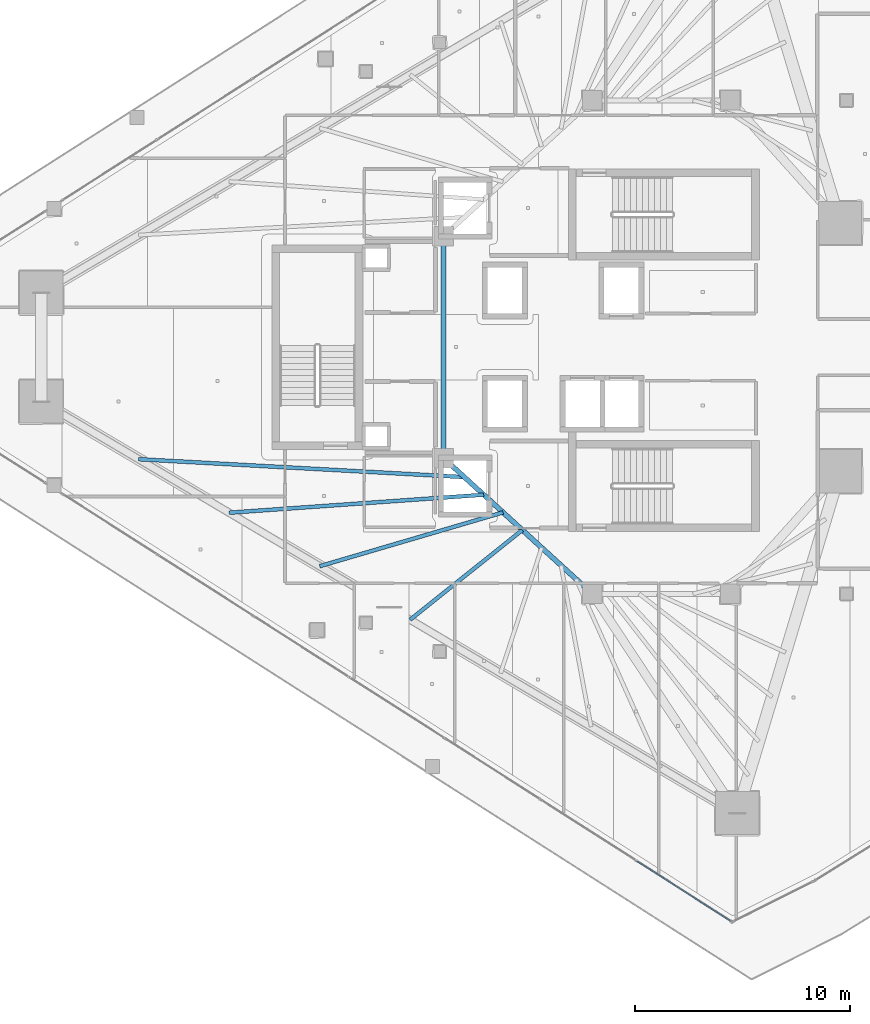
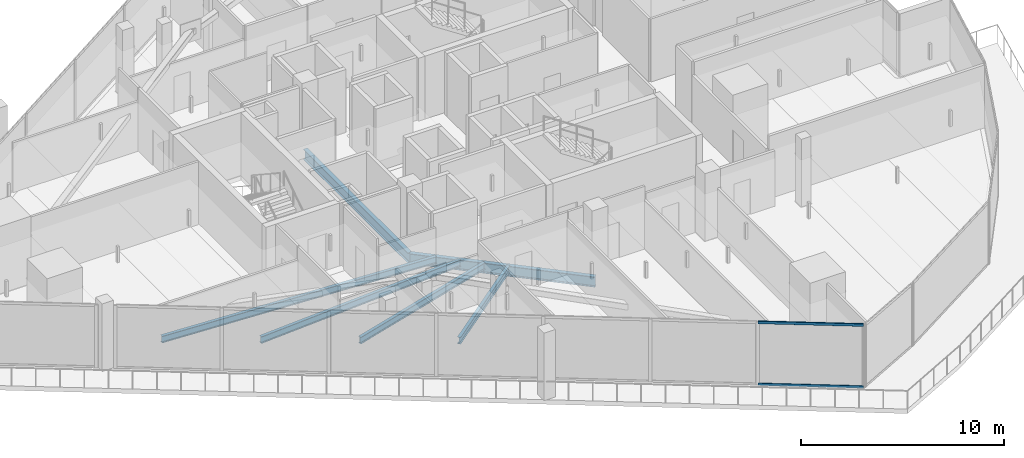
# One storey, part 9 of 43: 6 beams, 2 members, 1 element without a shape of its own.
"""IFC4 building model written with IfcOpenShell, lengths in metres."""

import ifcopenshell
import ifcopenshell.guid

model = None  # the IFC model being written
_history = None  # IfcOwnerHistory: only IFC2X3 demands one
_inside = {}  # id of a spatial element -> (the spatial element, [elements in it])
_under = {}  # id of a project, library or spatial element -> (it, [spatial elements below it])
_declared = {}  # id of a project -> (the project, [libraries it declares])
_typed = {}  # id of a type object -> (the type object, [elements of that type])
_made_of = {}  # id of a material, layer set ... -> (it, [elements and type objects made of it])


def new_model(schema):
    """Start an empty IFC model of exactly this schema.

    Asked for "IFC4X3", IfcOpenShell would pick the latest addendum, in which some entities
    have other attributes; the version numbers below select the first issue.
    IFC2X3 requires an IfcOwnerHistory on every rooted entity: one is made here for all.
    """
    global model, _history
    if schema == "IFC4X3":
        model = ifcopenshell.file(schema_version=(4, 3, 0, 0))
    else:
        model = ifcopenshell.file(schema=schema)
    _inside.clear()
    _under.clear()
    _declared.clear()
    _typed.clear()
    _made_of.clear()
    _history = None
    if model.schema == "IFC2X3":
        org = make("IfcOrganization", Name="unknown")
        user = make(
            "IfcPersonAndOrganization",
            ThePerson=make("IfcPerson", FamilyName="unknown"),
            TheOrganization=org,
        )
        app = make(
            "IfcApplication",
            ApplicationDeveloper=org,
            Version="unknown",
            ApplicationFullName="unknown",
            ApplicationIdentifier="unknown",
        )
        _history = make(
            "IfcOwnerHistory",
            OwningUser=user,
            OwningApplication=app,
            ChangeAction="ADDED",
            CreationDate=0,
        )
    return model


def make(cls, **values):
    """One entity of the class cls with the attributes given. An attribute that is None is left unset."""
    return model.create_entity(
        cls, **{name: value for name, value in values.items() if value is not None}
    )


def rooted(cls, **values):
    """An entity with a GlobalId (a new one), such as an element, a storey or a relation."""
    return make(cls, GlobalId=ifcopenshell.guid.new(), OwnerHistory=_history, **values)


def si_unit(unit_type, name, prefix=None):
    """IfcSIUnit, for example si_unit("LENGTHUNIT", "METRE", prefix="MILLI")."""
    return make("IfcSIUnit", UnitType=unit_type, Prefix=prefix, Name=name)


def assignment(units):
    """IfcUnitAssignment: the units of a project."""
    return None if units is None else make("IfcUnitAssignment", Units=units)


def point(xyz):
    """IfcCartesianPoint."""
    return None if xyz is None else make("IfcCartesianPoint", Coordinates=xyz)


def direction(xyz):
    """IfcDirection."""
    return None if xyz is None else make("IfcDirection", DirectionRatios=xyz)


def frame(location, z_axis=None, x_axis=None):
    """IfcAxis2Placement3D, a coordinate frame: its origin and axes. An axis left out is left unset."""
    return make(
        "IfcAxis2Placement3D",
        Location=point(location),
        Axis=direction(z_axis),
        RefDirection=direction(x_axis),
    )


def frame_2d(location, x_axis=None):
    """IfcAxis2Placement2D, a coordinate frame in the plane: its origin and x axis."""
    return make(
        "IfcAxis2Placement2D", Location=point(location), RefDirection=direction(x_axis)
    )


def origin():
    """The frame at (0, 0, 0) with its axes left unset."""
    return frame((0.0, 0.0, 0.0))


def origin_2d():
    """The frame at (0, 0) in the plane with its x axis left unset."""
    return frame_2d((0.0, 0.0))


def place(relative_to, where):
    """IfcLocalPlacement: puts the frame where relative to a parent placement (None: the world)."""
    return make(
        "IfcLocalPlacement", PlacementRelTo=relative_to, RelativePlacement=where
    )


def context(
    kind, dimensions, precision=None, world=None, true_north=None, identifier=None
):
    """IfcGeometricRepresentationContext, for example the 3D "Model" context."""
    return make(
        "IfcGeometricRepresentationContext",
        ContextIdentifier=identifier,
        ContextType=kind,
        CoordinateSpaceDimension=dimensions,
        Precision=precision,
        WorldCoordinateSystem=world,
        TrueNorth=true_north,
    )


def subcontext(parent, identifier, kind, view, scale=None):
    """IfcGeometricRepresentationSubContext, for example "Body" below "Model"."""
    return make(
        "IfcGeometricRepresentationSubContext",
        ContextIdentifier=identifier,
        ContextType=kind,
        ParentContext=parent,
        TargetScale=scale,
        TargetView=view,
    )


def project(units=None, contexts=None):
    """IfcProject with its units and contexts."""
    return rooted(
        "IfcProject",
        Name="project",
        RepresentationContexts=contexts,
        UnitsInContext=assignment(units),
    )


def spatial(cls, under=None, at=None, **own):
    """A site, building, storey or space (cls), placed at a placement, below another one or the project."""
    s = rooted(cls, ObjectPlacement=at, **own)
    if under is not None:
        _under.setdefault(under.id(), (under, []))[1].append(s)
    return s


def profile(cls, at=None, kind="AREA", **sizes):
    """A parametric profile (cls). Its sizes go by their IFC names, for example OverallWidth=200.0."""
    return make(cls, ProfileType=kind, Position=at, **sizes)


def hollow_rectangle(**sizes):
    """IfcRectangleHollowProfileDef."""
    return profile("IfcRectangleHollowProfileDef", **sizes)


def i_section(**sizes):
    """IfcIShapeProfileDef."""
    return profile("IfcIShapeProfileDef", **sizes)


def extrude(swept, where, along, depth):
    """IfcExtrudedAreaSolid: the profile swept, set in the frame where, extruded along a direction by depth."""
    return make(
        "IfcExtrudedAreaSolid",
        SweptArea=swept,
        Position=where,
        ExtrudedDirection=direction(along),
        Depth=depth,
    )


def shape(context_of_items, identifier, shape_type, items):
    """IfcShapeRepresentation: the items that make up one representation, for example the "Body"."""
    return make(
        "IfcShapeRepresentation",
        ContextOfItems=context_of_items,
        RepresentationIdentifier=identifier,
        RepresentationType=shape_type,
        Items=items,
    )


def material(Name=None, Category=None):
    """IfcMaterial."""
    return make("IfcMaterial", Name=Name, Category=Category)


def layer(
    of_material, thickness, ventilated=None, Name=None, Category=None, Priority=None
):
    """IfcMaterialLayer: one layer of a wall or slab, of a material (None: an air gap)."""
    return make(
        "IfcMaterialLayer",
        Material=of_material,
        LayerThickness=thickness,
        IsVentilated=ventilated,
        Name=Name,
        Category=Category,
        Priority=Priority,
    )


def layer_set(layers, Name=None):
    """IfcMaterialLayerSet."""
    return make("IfcMaterialLayerSet", MaterialLayers=layers, LayerSetName=Name)


def material_profile(
    of_material, cross_section, Name=None, Category=None, Priority=None
):
    """IfcMaterialProfile: a cross section and its material."""
    return make(
        "IfcMaterialProfile",
        Name=Name,
        Material=of_material,
        Profile=cross_section,
        Priority=Priority,
        Category=Category,
    )


def profile_set(profiles, Name=None, composite=None):
    """IfcMaterialProfileSet."""
    return make(
        "IfcMaterialProfileSet",
        Name=Name,
        MaterialProfiles=profiles,
        CompositeProfile=composite,
    )


def made_of(thing, what):
    """Note that an element or type object is made of a material, layer set ...; save() writes the relation."""
    if what is not None:
        _made_of.setdefault(what.id(), (what, []))[1].append(thing)
    return thing


def type_object(cls, material=None, **own):
    """A type object (cls), such as IfcWallType, which elements share."""
    return made_of(rooted(cls, **own), material)


def element(
    cls,
    number,
    at=None,
    inside=None,
    cuts=None,
    type_object=None,
    material=None,
    context=None,
    identifier="Body",
    shape_type=None,
    held_by="IfcProductDefinitionShape",
    body=None,
    shapes=None,
    **own,
):
    """One element of the class cls, such as IfcWall. Its Tag is "e" and its number.

    at: its placement. inside: the storey or other place that contains it. cuts: it is an
    opening in that element (IfcRelVoidsElement). A single representation is given by context,
    identifier, shape_type and body (its items); several are given by shapes. held_by: the class
    of the entity that holds the representations. save() writes the other relations.
    """
    e = rooted(cls, Tag="e%d" % number, ObjectPlacement=at, **own)
    if body is not None:
        shapes = [shape(context, identifier, shape_type, body)]
    if shapes is not None:
        e.Representation = make(held_by, Representations=shapes)
    if inside is not None:
        _inside.setdefault(inside.id(), (inside, []))[1].append(e)
    if cuts is not None:
        rooted(
            "IfcRelVoidsElement", RelatingBuildingElement=cuts, RelatedOpeningElement=e
        )
    if type_object is not None:
        _typed.setdefault(type_object.id(), (type_object, []))[1].append(e)
    return made_of(e, material)


def aggregate(whole, parts):
    """IfcRelAggregates: a whole, such as a stair, and the parts it consists of."""
    return rooted("IfcRelAggregates", RelatingObject=whole, RelatedObjects=parts)


def save(model, path):
    """Write the relations noted so far, then the file.

    IfcRelAggregates (storeys below a building ...), IfcRelContainedInSpatialStructure (elements
    in a storey), IfcRelDefinesByType, IfcRelAssociatesMaterial and IfcRelDeclares: one each for
    every whole, place, type object, material and project.
    """
    for whole, parts in _under.values():
        aggregate(whole, parts)
    for where, things in _inside.values():
        rooted(
            "IfcRelContainedInSpatialStructure",
            RelatedElements=things,
            RelatingStructure=where,
        )
    for kind, things in _typed.values():
        rooted("IfcRelDefinesByType", RelatedObjects=things, RelatingType=kind)
    for what, things in _made_of.values():
        rooted("IfcRelAssociatesMaterial", RelatedObjects=things, RelatingMaterial=what)
    for by, libraries in _declared.values():
        rooted("IfcRelDeclares", RelatingContext=by, RelatedDefinitions=libraries)
    model.write(path)


model = new_model("IFC4")

# Units and contexts
model_context = context("Model", 3, precision=1e-05, world=origin(), true_north=direction((0.0, 1.0)))
body_context = subcontext(model_context, "Body", "Model", "MODEL_VIEW")
ifc_project = project(units=[si_unit("LENGTHUNIT", "METRE"), si_unit("AREAUNIT", "SQUARE_METRE"), si_unit("VOLUMEUNIT", "CUBIC_METRE"), si_unit("PLANEANGLEUNIT", "RADIAN"), si_unit("MASSUNIT", "GRAM", prefix="KILO")], contexts=[model_context])

# Site, building, storey
site_placement = place(None, origin())
site = spatial("IfcSite", under=ifc_project, at=site_placement, CompositionType="ELEMENT")
building_placement = place(site_placement, origin())
building = spatial("IfcBuilding", under=site, at=building_placement, Name="Qorvath Tower", CompositionType="ELEMENT")
storey_placement = place(building_placement, frame((0.0, 0.0, 213.14990234375)))
storey = spatial("IfcBuildingStorey", under=building, at=storey_placement, Name="L49", CompositionType="ELEMENT", Elevation=213.14990234375)

# Beams
ifc_material_1 = material(Name="Steel ASTM A992 Grade 50", Category="steel")
ifc_material_profile_1 = material_profile(ifc_material_1, i_section(OverallWidth=0.22998046875, OverallDepth=0.616943359375, WebThickness=0.01318359375, FlangeThickness=0.022216796875, FilletRadius=0.014892578125, at=origin_2d()), Name="W24x94")
ifc_profile_set_1 = profile_set([ifc_material_profile_1], Name="Steel ASTM A992 Grade 50")
beam_type_1 = type_object("IfcBeamType", Name="BM-FG6", PredefinedType="BEAM", material=ifc_profile_set_1)
beam_1_placement = place(storey_placement, frame((-23.60009765625, -11.449951171875, -0.57861328125), z_axis=(-0.73847813985, 0.6742774184, 0.0), x_axis=(-0.6742774184, -0.73847813985, 0.0)))
element("IfcBeam", 1, at=beam_1_placement, inside=storey, type_object=beam_type_1, Name="Core Ring Girder CC4-CC6 L49", PredefinedType="BEAM", context=body_context, shape_type="SweptSolid", body=[
    extrude(i_section(OverallWidth=0.22998046875, OverallDepth=0.616943359375, WebThickness=0.01318359375, FlangeThickness=0.022216796875, FilletRadius=0.014892578125, at=origin_2d()), origin(), (0.0, 0.0, 1.0), 9.343505859375),
])
beam_2_placement = place(storey_placement, frame((-30.5, -5.14990234375, -0.57861328125), z_axis=(0.0, 1.0, 0.0), x_axis=(-1.0, 0.0, 0.0)))
element("IfcBeam", 2, at=beam_2_placement, inside=storey, type_object=beam_type_1, Name="Core Ring Girder CC6-CC5 L49", PredefinedType="BEAM", context=body_context, shape_type="SweptSolid", body=[
    extrude(i_section(OverallWidth=0.22998046875, OverallDepth=0.616943359375, WebThickness=0.01318359375, FlangeThickness=0.022216796875, FilletRadius=0.014892578125, at=origin_2d()), origin(), (0.0, 0.0, 1.0), 10.2998046875),
])
ifc_material_2 = material(Name="Steel ASTM A992 Grade 50", Category="steel")
ifc_material_profile_2 = material_profile(ifc_material_2, i_section(OverallWidth=0.177978515625, OverallDepth=0.406005859375, WebThickness=0.0078125, FlangeThickness=0.0126953125, FilletRadius=0.010986328125, at=origin_2d()), Name="W16x40")
ifc_profile_set_2 = profile_set([ifc_material_profile_2], Name="Steel ASTM A992 Grade 50")
beam_type_2 = type_object("IfcBeamType", Name="BM-FJ3", PredefinedType="JOIST", material=ifc_profile_set_2)
beam_3_placement = place(storey_placement, frame((-29.533935546875, -6.031982421875, -0.472900390625), z_axis=(-0.998494745044, 0.054847462293, 0.0), x_axis=(-0.054847462293, -0.998494745044, 0.0)))
element("IfcBeam", 3, at=beam_3_placement, inside=storey, type_object=beam_type_2, Name="Composite Floor Joist SW1 L49", PredefinedType="JOIST", context=body_context, shape_type="SweptSolid", body=[
    extrude(i_section(OverallWidth=0.177978515625, OverallDepth=0.406005859375, WebThickness=0.0078125, FlangeThickness=0.0126953125, FilletRadius=0.010986328125, at=origin_2d()), origin(), (0.0, 0.0, 1.0), 15.138671875),
])
beam_4_placement = place(storey_placement, frame((-28.636962890625, -6.85107421875, -0.472900390625), z_axis=(-0.997520476731, -0.070376832146, 0.0), x_axis=(0.070376832146, -0.997520476731, 0.0)))
element("IfcBeam", 4, at=beam_4_placement, inside=storey, type_object=beam_type_2, Name="Composite Floor Joist SW2 L49", PredefinedType="JOIST", context=body_context, shape_type="SweptSolid", body=[
    extrude(i_section(OverallWidth=0.177978515625, OverallDepth=0.406005859375, WebThickness=0.0078125, FlangeThickness=0.0126953125, FilletRadius=0.010986328125, at=origin_2d()), origin(), (0.0, 0.0, 1.0), 11.84326171875),
])
beam_5_placement = place(storey_placement, frame((-27.739990234375, -7.669921875, -0.472900390625), z_axis=(-0.959544992264, -0.281555337049, 0.0), x_axis=(0.281555337049, -0.959544992264, 0.0)))
element("IfcBeam", 5, at=beam_5_placement, inside=storey, type_object=beam_type_2, Name="Composite Floor Joist SW3 L49", PredefinedType="JOIST", context=body_context, shape_type="SweptSolid", body=[
    extrude(i_section(OverallWidth=0.177978515625, OverallDepth=0.406005859375, WebThickness=0.0078125, FlangeThickness=0.0126953125, FilletRadius=0.010986328125, at=origin_2d()), origin(), (0.0, 0.0, 1.0), 8.87060546875),
])
beam_6_placement = place(storey_placement, frame((-26.843017578125, -8.489013671875, -0.472900390625), z_axis=(-0.781336553339, -0.624109918537, 0.0), x_axis=(0.624109918537, -0.781336553339, 0.0)))
element("IfcBeam", 6, at=beam_6_placement, inside=storey, type_object=beam_type_2, Name="Composite Floor Joist SW4 L49", PredefinedType="JOIST", context=body_context, shape_type="SweptSolid", body=[
    extrude(i_section(OverallWidth=0.177978515625, OverallDepth=0.406005859375, WebThickness=0.0078125, FlangeThickness=0.0126953125, FilletRadius=0.010986328125, at=origin_2d()), origin(), (0.0, 0.0, 1.0), 6.667724609375),
])

# Curtain wall, members
ifc_material_3 = material(Name="Anodised aluminium and triple low-E glass", Category="aluminium")
ifc_layer = layer(ifc_material_3, 0.179931640625)
ifc_layer_set = layer_set([ifc_layer], Name="CW-SYS-3")
curtain_wall_type = type_object("IfcCurtainWallType", Name="CW-SYS-3", PredefinedType="NOTDEFINED", material=ifc_layer_set)
curtain_wall_placement = place(storey_placement, origin())
curtain_wall = element("IfcCurtainWall", 7, at=curtain_wall_placement, inside=storey, type_object=curtain_wall_type, Name="Curtain Wall CW-3 CW-T-L49-2.2", PredefinedType="NOTDEFINED")
ifc_material_4 = material(Name="Anodised aluminium 6063-T6", Category="aluminium")
ifc_material_profile_3 = material_profile(ifc_material_4, hollow_rectangle(XDim=0.06494140625, YDim=0.159912109375, WallThickness=0.00341796875, InnerFilletRadius=0.00341796875, OuterFilletRadius=0.007080078125, at=origin_2d()), Name="CWT 160x65")
ifc_profile_set_3 = profile_set([ifc_material_profile_3], Name="Anodised aluminium 6063-T6")
member_type = type_object("IfcMemberType", Name="CWT-160", PredefinedType="USERDEFINED", material=ifc_profile_set_3)
member_1_placement = place(storey_placement, frame((-21.52392578125, -23.856689453125, 0.032470703125), z_axis=(0.842617210776, -0.538512986013, 0.0), x_axis=(0.538512986013, 0.842617210776, 0.0)))
member_1 = element("IfcMember", 8, at=member_1_placement, type_object=member_type, Name="CW-3 transom 7.1", ObjectType="TRANSOM", PredefinedType="USERDEFINED", context=body_context, shape_type="SweptSolid", body=[
    extrude(hollow_rectangle(XDim=0.06494140625, YDim=0.159912109375, WallThickness=0.00341796875, InnerFilletRadius=0.00341796875, OuterFilletRadius=0.007080078125, at=origin_2d()), origin(), (0.0, 0.0, 1.0), 5.177490234375),
])
member_2_placement = place(storey_placement, frame((-21.52392578125, -23.856689453125, 3.74755859375), z_axis=(0.842617210776, -0.538512986013, 0.0), x_axis=(0.538512986013, 0.842617210776, 0.0)))
member_2 = element("IfcMember", 9, at=member_2_placement, type_object=member_type, Name="CW-3 transom 7.2", ObjectType="TRANSOM", PredefinedType="USERDEFINED", context=body_context, shape_type="SweptSolid", body=[
    extrude(hollow_rectangle(XDim=0.06494140625, YDim=0.159912109375, WallThickness=0.00341796875, InnerFilletRadius=0.00341796875, OuterFilletRadius=0.007080078125, at=origin_2d()), origin(), (0.0, 0.0, 1.0), 5.177490234375),
])
aggregate(curtain_wall, [member_1, member_2])

save(model, "model.ifc")
